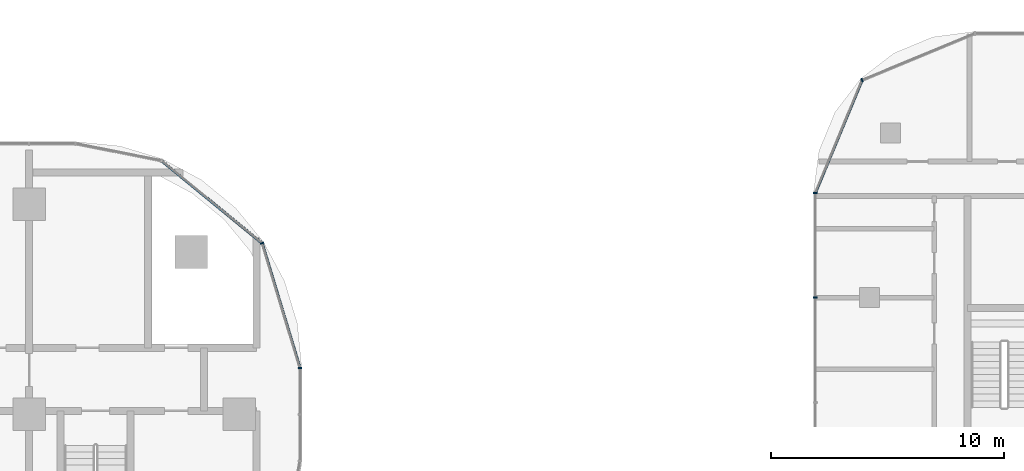
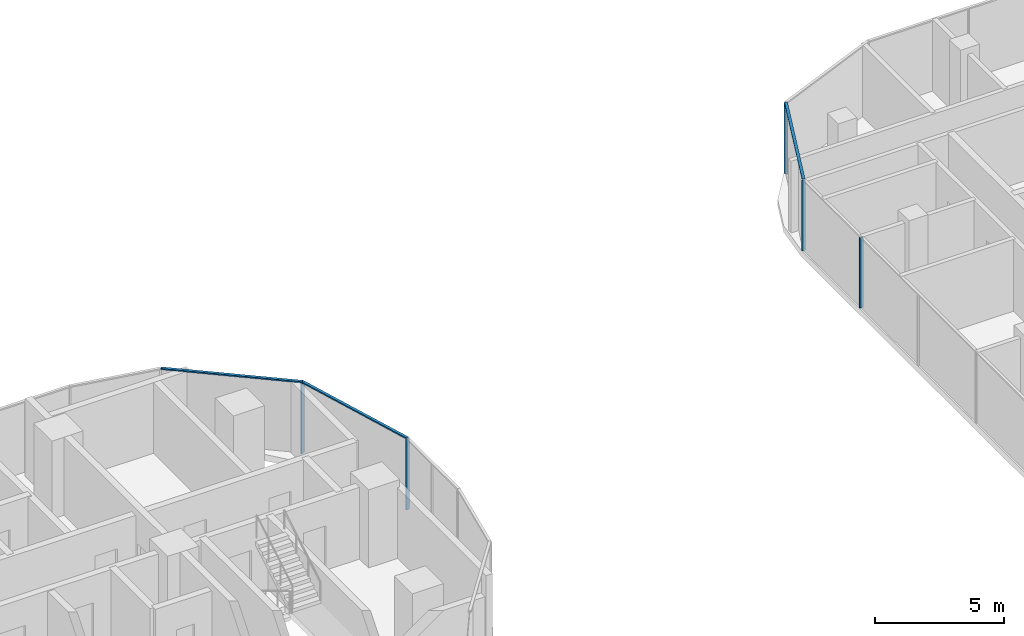
# One storey, part 10 of 34: 8 members, 4 elements without a shape of their own.
"""IFC4 building model written with IfcOpenShell, lengths in metres."""

from ifc_helpers import new_model, si_unit, direction, frame, origin, origin_2d, place, context, subcontext, project, spatial, rectangle, extrude, material, material_profile, profile_set, type_object, element, aggregate, save


model = new_model("IFC4")

# Units and contexts
model_context = context("Model", 3, precision=1e-05, world=origin(), true_north=direction((0.0, 1.0)))
body_context = subcontext(model_context, "Body", "Model", "MODEL_VIEW")
ifc_project = project(units=[si_unit("LENGTHUNIT", "METRE"), si_unit("AREAUNIT", "SQUARE_METRE"), si_unit("VOLUMEUNIT", "CUBIC_METRE"), si_unit("PLANEANGLEUNIT", "RADIAN"), si_unit("MASSUNIT", "GRAM", prefix="KILO")], contexts=[model_context])

# Site, building, storey
site_placement = place(None, origin())
site = spatial("IfcSite", under=ifc_project, at=site_placement, CompositionType="ELEMENT")
building_placement = place(site_placement, origin())
building = spatial("IfcBuilding", under=site, at=building_placement, Name="Ogive Portal Towers", CompositionType="ELEMENT")
storey_placement = place(building_placement, frame((0.0, 0.0, 66.800048828125)))
storey = spatial("IfcBuildingStorey", under=building, at=storey_placement, Name="L15", CompositionType="ELEMENT", Elevation=66.800048828125)

# Curtain wall, member
ifc_material_1 = material(Name="Glass, clear low-iron insulated glazing", Category="glass")
curtain_wall_type_1 = type_object("IfcCurtainWallType", Name="CW FRONT RIBBON 4500", PredefinedType="NOTDEFINED", material=ifc_material_1)
curtain_wall_1_placement = place(storey_placement, origin())
curtain_wall_1 = element("IfcCurtainWall", 1, at=curtain_wall_1_placement, inside=storey, type_object=curtain_wall_type_1, Name="A:L15:f12:cw0", PredefinedType="NOTDEFINED")
ifc_material_2 = material(Name="Aluminium 6063 anodised", Category="aluminium")
ifc_material_profile_1 = material_profile(ifc_material_2, rectangle(XDim=0.159912109375, YDim=0.06005859375, at=origin_2d()), Name="AL 60x160")
ifc_profile_set_1 = profile_set([ifc_material_profile_1], Name="Aluminium 6063 anodised")
member_type_1 = type_object("IfcMemberType", Name="CW MULLION 60x160", PredefinedType="MULLION", material=ifc_profile_set_1)
member_1_placement = place(storey_placement, frame((97.10009765625, 32.488037109375, 0.0), z_axis=(0.0, 0.0, 1.0), x_axis=(-1.0, 0.0, 0.0)))
member_1 = element("IfcMember", 2, at=member_1_placement, type_object=member_type_1, Name="mullion", PredefinedType="MULLION", context=body_context, shape_type="SweptSolid", body=[
    extrude(rectangle(XDim=0.159912109375, YDim=0.06005859375, at=origin_2d()), origin(), (0.0, 0.0, 1.0), 3.33984375),
])
aggregate(curtain_wall_1, [member_1])

curtain_wall_2_placement = place(storey_placement, origin())
curtain_wall_2 = element("IfcCurtainWall", 3, at=curtain_wall_2_placement, inside=storey, type_object=curtain_wall_type_1, Name="A:L15:f13:cwa", PredefinedType="NOTDEFINED")
member_2_placement = place(storey_placement, frame((95.47900390625, 37.83154296875, 0.0), z_axis=(0.0, 0.0, 1.0), x_axis=(-0.956940335732, -0.290284677254, 0.0)))
member_2 = element("IfcMember", 4, at=member_2_placement, type_object=member_type_1, Name="mullion", PredefinedType="MULLION", context=body_context, shape_type="SweptSolid", body=[
    extrude(rectangle(XDim=0.159912109375, YDim=0.06005859375, at=origin_2d()), origin(), (0.0, 0.0, 1.0), 3.33984375),
])

# Curtain wall, members
curtain_wall_type_2 = type_object("IfcCurtainWallType", Name="CW RESIDENCES RIBBON", PredefinedType="NOTDEFINED", material=ifc_material_1)
curtain_wall_3_placement = place(storey_placement, origin())
curtain_wall_3 = element("IfcCurtainWall", 5, at=curtain_wall_3_placement, inside=storey, type_object=curtain_wall_type_2, Name="B:L15:f11:cw0", PredefinedType="NOTDEFINED")
member_3_placement = place(storey_placement, frame((119.179931640625, 39.984130859375, 0.0), z_axis=(0.0, 0.0, 1.0), x_axis=(1.0, 0.0, 0.0)))
member_3 = element("IfcMember", 6, at=member_3_placement, type_object=member_type_1, Name="mullion", PredefinedType="MULLION", context=body_context, shape_type="SweptSolid", body=[
    extrude(rectangle(XDim=0.159912109375, YDim=0.06005859375, at=origin_2d()), origin(), (0.0, 0.0, 1.0), 3.33984375),
])
member_4_placement = place(storey_placement, frame((119.179931640625, 35.5, 0.0), z_axis=(0.0, 0.0, 1.0), x_axis=(1.0, 0.0, 0.0)))
member_4 = element("IfcMember", 7, at=member_4_placement, type_object=member_type_1, Name="mullion", PredefinedType="MULLION", context=body_context, shape_type="SweptSolid", body=[
    extrude(rectangle(XDim=0.159912109375, YDim=0.06005859375, at=origin_2d()), origin(), (0.0, 0.0, 1.0), 3.33984375),
])
aggregate(curtain_wall_3, [member_3, member_4])

# Curtain wall, member
curtain_wall_4_placement = place(storey_placement, origin())
curtain_wall_4 = element("IfcCurtainWall", 8, at=curtain_wall_4_placement, inside=storey, type_object=curtain_wall_type_2, Name="B:L15:f09:cwa", PredefinedType="NOTDEFINED")
member_5_placement = place(storey_placement, frame((121.18212890625, 44.81787109375, 0.0), z_axis=(0.0, 0.0, 1.0), x_axis=(0.382683432365, -0.923879532511, 0.0)))
member_5 = element("IfcMember", 9, at=member_5_placement, type_object=member_type_1, Name="mullion", PredefinedType="MULLION", context=body_context, shape_type="SweptSolid", body=[
    extrude(rectangle(XDim=0.159912109375, YDim=0.06005859375, at=origin_2d()), origin(), (0.0, 0.0, 1.0), 3.33984375),
])

# Member
ifc_material_profile_2 = material_profile(ifc_material_2, rectangle(XDim=0.1201171875, YDim=0.06005859375, at=origin_2d()), Name="AL 120x60")
ifc_profile_set_2 = profile_set([ifc_material_profile_2], Name="Aluminium 6063 anodised")
member_type_2 = type_object("IfcMemberType", Name="CW TRANSOM 60x120", PredefinedType="USERDEFINED", material=ifc_profile_set_2)
member_6_placement = place(storey_placement, frame((97.10009765625, 32.488037109375, 3.369873046875), z_axis=(-0.290310746868, 0.956932427214, 0.0), x_axis=(-0.956932427214, -0.290310746868, 0.0)))
member_6 = element("IfcMember", 10, at=member_6_placement, type_object=member_type_2, Name="transom", ObjectType="TRANSOM", PredefinedType="USERDEFINED", context=body_context, shape_type="SweptSolid", body=[
    extrude(rectangle(XDim=0.1201171875, YDim=0.06005859375, at=origin_2d()), origin(), (0.0, 0.0, 1.0), 5.583984375),
])

member_7_placement = place(storey_placement, frame((95.47900390625, 37.83154296875, 3.369873046875), z_axis=(-0.772998485892, 0.634407866289, 0.0), x_axis=(-0.634407866289, -0.772998485892, 0.0)))
member_7 = element("IfcMember", 11, at=member_7_placement, type_object=member_type_2, Name="transom", ObjectType="TRANSOM", PredefinedType="USERDEFINED", context=body_context, shape_type="SweptSolid", body=[
    extrude(rectangle(XDim=0.1201171875, YDim=0.06005859375, at=origin_2d()), origin(), (0.0, 0.0, 1.0), 5.575439453125),
])

aggregate(curtain_wall_2, [member_6, member_7, member_2])

member_8_placement = place(storey_placement, frame((121.18212890625, 44.81787109375, 3.369873046875), z_axis=(-0.382682861952, -0.923879768784, 0.0), x_axis=(0.923879768784, -0.382682861952, 0.0)))
member_8 = element("IfcMember", 12, at=member_8_placement, type_object=member_type_2, Name="transom", ObjectType="TRANSOM", PredefinedType="USERDEFINED", context=body_context, shape_type="SweptSolid", body=[
    extrude(rectangle(XDim=0.1201171875, YDim=0.06005859375, at=origin_2d()), origin(), (0.0, 0.0, 1.0), 5.23193359375),
])

aggregate(curtain_wall_4, [member_8, member_5])

save(model, "model.ifc")
